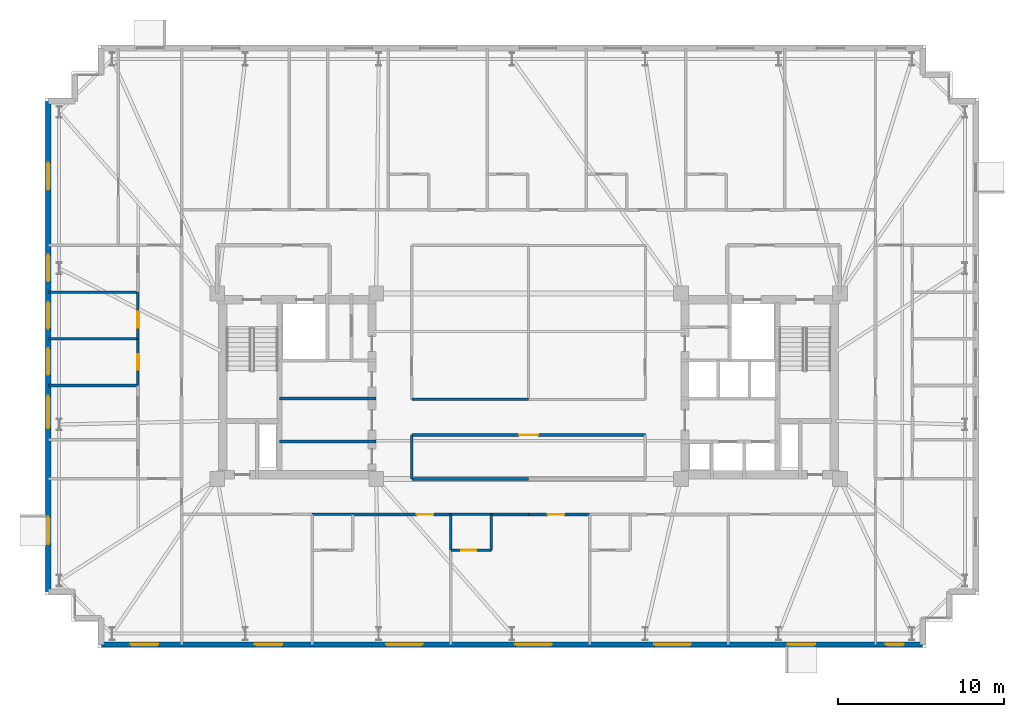
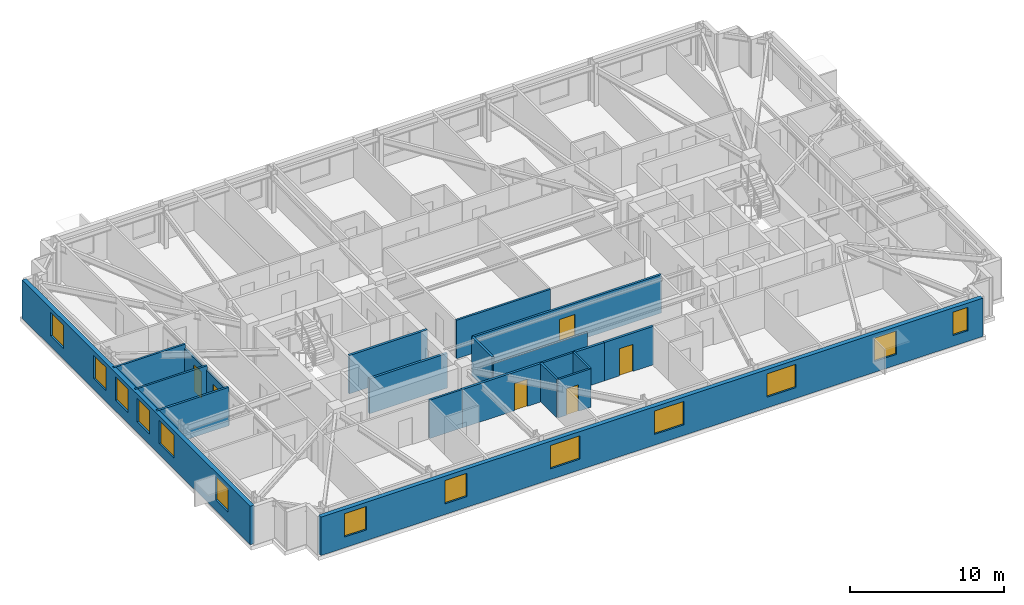
# One storey, part 11 of 18: 21 walls, 13 windows, 6 doors, 19 openings.
"""IFC4 building model written with IfcOpenShell, lengths in metres."""

from ifc_helpers import new_model, si_unit, direction, frame, frame_2d, origin, place, context, subcontext, project, spatial, rectangle, extrude, material, layer, layer_set, type_object, element, fill, save


model = new_model("IFC4")

# Units and contexts
model_context = context("Model", 3, precision=1e-05, world=origin(), true_north=direction((0.0, 1.0)))
body_context = subcontext(model_context, "Body", "Model", "MODEL_VIEW")
ifc_project = project(units=[si_unit("LENGTHUNIT", "METRE"), si_unit("AREAUNIT", "SQUARE_METRE"), si_unit("VOLUMEUNIT", "CUBIC_METRE"), si_unit("PLANEANGLEUNIT", "RADIAN"), si_unit("MASSUNIT", "GRAM", prefix="KILO")], contexts=[model_context])

# Site, building, storey
site_placement = place(None, origin())
site = spatial("IfcSite", under=ifc_project, at=site_placement, CompositionType="ELEMENT")
building_placement = place(site_placement, origin())
building = spatial("IfcBuilding", under=site, at=building_placement, Name="Qobustan Lattice House", CompositionType="ELEMENT")
storey_placement = place(building_placement, frame((0.0, 0.0, 134.35009765625)))
storey = spatial("IfcBuildingStorey", under=building, at=storey_placement, Name="L37", CompositionType="ELEMENT", Elevation=134.35009765625)

# Wall, openings, windows
ifc_material_1 = material(Name="Precast concrete C40/50", Category="concrete")
ifc_layer_1 = layer(ifc_material_1, 0.320068359375)
ifc_layer_set_1 = layer_set([ifc_layer_1], Name="Precast concrete C40/50")
wall_type_1 = type_object("IfcWallType", Name="WAL-EXT-STONE-320", PredefinedType="SOLIDWALL", material=ifc_layer_set_1)
wall_1_placement = place(storey_placement, frame((-29.0, -12.39990234375, 0.0), z_axis=(0.0, 0.0, 1.0), x_axis=(0.0, 1.0, 0.0)))
wall_1 = element("IfcWall", 1, at=wall_1_placement, inside=storey, type_object=wall_type_1, Name="L37 exterior limestone-clad wall 5", PredefinedType="SOLIDWALL", context=body_context, shape_type="SweptSolid", body=[
    extrude(rectangle(XDim=29.599853515625, YDim=0.320068359375, at=frame_2d((14.7998046875, 0.0))), origin(), (0.0, 0.0, 1.0), 3.039794921875),
])
opening_1_placement = place(wall_1_placement, frame((2.85498046875, 0.0, 0.85009765625)))
opening_1 = element("IfcOpeningElement", 2, at=opening_1_placement, cuts=wall_1, Name="Opening WN-09", PredefinedType="OPENING", context=body_context, shape_type="SweptSolid", body=[
    extrude(rectangle(XDim=1.64990234375, YDim=1.85009765625, at=frame_2d((0.824951171875, 0.925048828125))), frame((0.0, 0.169921875, 0.0), z_axis=(0.0, -1.0, 0.0), x_axis=(1.0, 0.0, 0.0)), (0.0, 0.0, 1.0), 0.340087890625),
])
opening_2_placement = place(wall_1_placement, frame((9.864990234375, 0.0, 0.85009765625)))
opening_2 = element("IfcOpeningElement", 3, at=opening_2_placement, cuts=wall_1, Name="Opening WN-08", PredefinedType="OPENING", context=body_context, shape_type="SweptSolid", body=[
    extrude(rectangle(XDim=1.949951171875, YDim=1.85009765625, at=frame_2d((0.97509765625, 0.925048828125))), frame((0.0, 0.169921875, 0.0), z_axis=(0.0, -1.0, 0.0), x_axis=(1.0, 0.0, 0.0)), (0.0, 0.0, 1.0), 0.340087890625),
])
opening_3_placement = place(wall_1_placement, frame((13.080078125, 0.0, 0.85009765625)))
opening_3 = element("IfcOpeningElement", 4, at=opening_3_placement, cuts=wall_1, Name="Opening WN-13", PredefinedType="OPENING", context=body_context, shape_type="SweptSolid", body=[
    extrude(rectangle(XDim=1.60009765625, YDim=1.85009765625, at=frame_2d((0.800048828125, 0.925048828125))), frame((0.0, 0.169921875, 0.0), z_axis=(0.0, -1.0, 0.0), x_axis=(1.0, 0.0, 0.0)), (0.0, 0.0, 1.0), 0.340087890625),
])
opening_4_placement = place(wall_1_placement, frame((15.8798828125, 0.0, 0.85009765625)))
opening_4 = element("IfcOpeningElement", 5, at=opening_4_placement, cuts=wall_1, Name="Opening WN-13", PredefinedType="OPENING", context=body_context, shape_type="SweptSolid", body=[
    extrude(rectangle(XDim=1.60009765625, YDim=1.85009765625, at=frame_2d((0.800048828125, 0.925048828125))), frame((0.0, 0.169921875, 0.0), z_axis=(0.0, -1.0, 0.0), x_axis=(1.0, 0.0, 0.0)), (0.0, 0.0, 1.0), 0.340087890625),
])
opening_5_placement = place(wall_1_placement, frame((18.719970703125, 0.0, 0.85009765625)))
opening_5 = element("IfcOpeningElement", 6, at=opening_5_placement, cuts=wall_1, Name="Opening WN-13", PredefinedType="OPENING", context=body_context, shape_type="SweptSolid", body=[
    extrude(rectangle(XDim=1.60009765625, YDim=1.85009765625, at=frame_2d((0.800048828125, 0.925048828125))), frame((0.0, 0.169921875, 0.0), z_axis=(0.0, -1.0, 0.0), x_axis=(1.0, 0.0, 0.0)), (0.0, 0.0, 1.0), 0.340087890625),
])
opening_6_placement = place(wall_1_placement, frame((24.2548828125, 0.0, 0.85009765625)))
opening_6 = element("IfcOpeningElement", 7, at=opening_6_placement, cuts=wall_1, Name="Opening WN-09", PredefinedType="OPENING", context=body_context, shape_type="SweptSolid", body=[
    extrude(rectangle(XDim=1.64990234375, YDim=1.85009765625, at=frame_2d((0.824951171875, 0.925048828125))), frame((0.0, 0.169921875, 0.0), z_axis=(0.0, -1.0, 0.0), x_axis=(1.0, 0.0, 0.0)), (0.0, 0.0, 1.0), 0.340087890625),
])
ifc_material_2 = material(Name="Double-glazed low-E aluminium window", Category="aluminium")
window_type_1 = type_object("IfcWindowType", Name="WIN-BED-1600x1850", PartitioningType="SINGLE_PANEL", PredefinedType="WINDOW", material=ifc_material_2)
window_1_placement = place(opening_3_placement, origin())
window_1 = element("IfcWindow", 8, at=window_1_placement, inside=storey, type_object=window_type_1, Name="L37 Cluster bedroom L37W1 window", OverallHeight=1.85009765625, OverallWidth=1.60009765625, PartitioningType="SINGLE_PANEL", PredefinedType="WINDOW", context=body_context, shape_type="SweptSolid", body=[
    extrude(rectangle(XDim=1.60009765625, YDim=1.85009765625, at=frame_2d((0.800048828125, 0.925048828125))), frame((0.0, 0.030029296875, 0.0), z_axis=(0.0, -1.0, 0.0), x_axis=(1.0, 0.0, 0.0)), (0.0, 0.0, 1.0), 0.06005859375),
])
fill(opening_3, window_1)
window_2_placement = place(opening_4_placement, origin())
window_2 = element("IfcWindow", 9, at=window_2_placement, inside=storey, type_object=window_type_1, Name="L37 Cluster bedroom L37W2 window", OverallHeight=1.85009765625, OverallWidth=1.60009765625, PartitioningType="SINGLE_PANEL", PredefinedType="WINDOW", context=body_context, shape_type="SweptSolid", body=[
    extrude(rectangle(XDim=1.60009765625, YDim=1.85009765625, at=frame_2d((0.800048828125, 0.925048828125))), frame((0.0, 0.030029296875, 0.0), z_axis=(0.0, -1.0, 0.0), x_axis=(1.0, 0.0, 0.0)), (0.0, 0.0, 1.0), 0.06005859375),
])
fill(opening_4, window_2)
window_3_placement = place(opening_5_placement, origin())
window_3 = element("IfcWindow", 10, at=window_3_placement, inside=storey, type_object=window_type_1, Name="L37 Cluster bedroom L37W3 window", OverallHeight=1.85009765625, OverallWidth=1.60009765625, PartitioningType="SINGLE_PANEL", PredefinedType="WINDOW", context=body_context, shape_type="SweptSolid", body=[
    extrude(rectangle(XDim=1.60009765625, YDim=1.85009765625, at=frame_2d((0.800048828125, 0.925048828125))), frame((0.0, 0.030029296875, 0.0), z_axis=(0.0, -1.0, 0.0), x_axis=(1.0, 0.0, 0.0)), (0.0, 0.0, 1.0), 0.06005859375),
])
fill(opening_5, window_3)
ifc_material_3 = material(Name="Double-glazed low-E aluminium window", Category="aluminium")
window_type_2 = type_object("IfcWindowType", Name="WIN-KIT-1950x1850", PartitioningType="SINGLE_PANEL", PredefinedType="WINDOW", material=ifc_material_3)
window_4_placement = place(opening_2_placement, origin())
window_4 = element("IfcWindow", 11, at=window_4_placement, inside=storey, type_object=window_type_2, Name="L37 Shared kitchen L37W window", OverallHeight=1.85009765625, OverallWidth=1.949951171875, PartitioningType="SINGLE_PANEL", PredefinedType="WINDOW", context=body_context, shape_type="SweptSolid", body=[
    extrude(rectangle(XDim=1.949951171875, YDim=1.85009765625, at=frame_2d((0.97509765625, 0.925048828125))), frame((0.0, 0.030029296875, 0.0), z_axis=(0.0, -1.0, 0.0), x_axis=(1.0, 0.0, 0.0)), (0.0, 0.0, 1.0), 0.06005859375),
])
fill(opening_2, window_4)
ifc_material_4 = material(Name="Double-glazed low-E aluminium window", Category="aluminium")
window_type_3 = type_object("IfcWindowType", Name="WIN-STU-1650x1850", PartitioningType="SINGLE_PANEL", PredefinedType="WINDOW", material=ifc_material_4)
window_5_placement = place(opening_1_placement, origin())
window_5 = element("IfcWindow", 12, at=window_5_placement, inside=storey, type_object=window_type_3, Name="L37 Reading study room L37WS window", OverallHeight=1.85009765625, OverallWidth=1.64990234375, PartitioningType="SINGLE_PANEL", PredefinedType="WINDOW", context=body_context, shape_type="SweptSolid", body=[
    extrude(rectangle(XDim=1.64990234375, YDim=1.85009765625, at=frame_2d((0.824951171875, 0.925048828125))), frame((0.0, 0.030029296875, 0.0), z_axis=(0.0, -1.0, 0.0), x_axis=(1.0, 0.0, 0.0)), (0.0, 0.0, 1.0), 0.06005859375),
])
fill(opening_1, window_5)
window_6_placement = place(opening_6_placement, origin())
window_6 = element("IfcWindow", 13, at=window_6_placement, inside=storey, type_object=window_type_3, Name="L37 Collaborative study room L37WN window", OverallHeight=1.85009765625, OverallWidth=1.64990234375, PartitioningType="SINGLE_PANEL", PredefinedType="WINDOW", context=body_context, shape_type="SweptSolid", body=[
    extrude(rectangle(XDim=1.64990234375, YDim=1.85009765625, at=frame_2d((0.824951171875, 0.925048828125))), frame((0.0, 0.030029296875, 0.0), z_axis=(0.0, -1.0, 0.0), x_axis=(1.0, 0.0, 0.0)), (0.0, 0.0, 1.0), 0.06005859375),
])
fill(opening_6, window_6)

wall_2_placement = place(storey_placement, frame((23.800048828125, -15.60009765625, 0.0), z_axis=(0.0, 0.0, 1.0), x_axis=(-1.0, 0.0, 0.0)))
wall_2 = element("IfcWall", 14, at=wall_2_placement, inside=storey, type_object=wall_type_1, Name="L37 exterior limestone-clad wall 20", PredefinedType="SOLIDWALL", context=body_context, shape_type="SweptSolid", body=[
    extrude(rectangle(XDim=49.60009765625, YDim=0.320068359375, at=frame_2d((24.800048828125, 0.0))), origin(), (0.0, 0.0, 1.0), 3.039794921875),
])
opening_7_placement = place(wall_2_placement, frame((1.1298828125, 0.0, 0.85009765625)))
opening_7 = element("IfcOpeningElement", 15, at=opening_7_placement, cuts=wall_2, Name="Opening WN-04", PredefinedType="OPENING", context=body_context, shape_type="SweptSolid", body=[
    extrude(rectangle(XDim=1.10009765625, YDim=1.85009765625, at=frame_2d((0.550048828125, 0.925048828125))), frame((0.0, 0.169921875, 0.0), z_axis=(0.0, -1.0, 0.0), x_axis=(1.0, 0.0, 0.0)), (0.0, 0.0, 1.0), 0.340087890625),
])
opening_8_placement = place(wall_2_placement, frame((6.4951171875, 0.0, 0.85009765625)))
opening_8 = element("IfcOpeningElement", 16, at=opening_8_placement, cuts=wall_2, Name="Opening WN-09", PredefinedType="OPENING", context=body_context, shape_type="SweptSolid", body=[
    extrude(rectangle(XDim=1.64990234375, YDim=1.85009765625, at=frame_2d((0.824951171875, 0.925048828125))), frame((0.0, 0.169921875, 0.0), z_axis=(0.0, -1.0, 0.0), x_axis=(1.0, 0.0, 0.0)), (0.0, 0.0, 1.0), 0.340087890625),
])
opening_9_placement = place(wall_2_placement, frame((13.99609375, 0.0, 0.85009765625)))
opening_9 = element("IfcOpeningElement", 17, at=opening_9_placement, cuts=wall_2, Name="Opening WN-03", PredefinedType="OPENING", context=body_context, shape_type="SweptSolid", body=[
    extrude(rectangle(XDim=2.199951171875, YDim=1.85009765625, at=frame_2d((1.10009765625, 0.925048828125))), frame((0.0, 0.169921875, 0.0), z_axis=(0.0, -1.0, 0.0), x_axis=(1.0, 0.0, 0.0)), (0.0, 0.0, 1.0), 0.340087890625),
])
opening_10_placement = place(wall_2_placement, frame((22.39599609375, 0.0, 0.85009765625)))
opening_10 = element("IfcOpeningElement", 18, at=opening_10_placement, cuts=wall_2, Name="Opening WN-03", PredefinedType="OPENING", context=body_context, shape_type="SweptSolid", body=[
    extrude(rectangle(XDim=2.199951171875, YDim=1.85009765625, at=frame_2d((1.10009765625, 0.925048828125))), frame((0.0, 0.169921875, 0.0), z_axis=(0.0, -1.0, 0.0), x_axis=(1.0, 0.0, 0.0)), (0.0, 0.0, 1.0), 0.340087890625),
])
opening_11_placement = place(wall_2_placement, frame((30.199951171875, 0.0, 0.85009765625)))
opening_11 = element("IfcOpeningElement", 19, at=opening_11_placement, cuts=wall_2, Name="Opening WN-03", PredefinedType="OPENING", context=body_context, shape_type="SweptSolid", body=[
    extrude(rectangle(XDim=2.199951171875, YDim=1.85009765625, at=frame_2d((1.10009765625, 0.925048828125))), frame((0.0, 0.169921875, 0.0), z_axis=(0.0, -1.0, 0.0), x_axis=(1.0, 0.0, 0.0)), (0.0, 0.0, 1.0), 0.340087890625),
])
opening_12_placement = place(wall_2_placement, frame((38.672607421875, 0.0, 0.85009765625)))
opening_12 = element("IfcOpeningElement", 20, at=opening_12_placement, cuts=wall_2, Name="Opening WN-09", PredefinedType="OPENING", context=body_context, shape_type="SweptSolid", body=[
    extrude(rectangle(XDim=1.64990234375, YDim=1.85009765625, at=frame_2d((0.824951171875, 0.925048828125))), frame((0.0, 0.169921875, 0.0), z_axis=(0.0, -1.0, 0.0), x_axis=(1.0, 0.0, 0.0)), (0.0, 0.0, 1.0), 0.340087890625),
])
opening_13_placement = place(wall_2_placement, frame((46.175048828125, 0.0, 0.85009765625)))
opening_13 = element("IfcOpeningElement", 21, at=opening_13_placement, cuts=wall_2, Name="Opening WN-09", PredefinedType="OPENING", context=body_context, shape_type="SweptSolid", body=[
    extrude(rectangle(XDim=1.64990234375, YDim=1.85009765625, at=frame_2d((0.824951171875, 0.925048828125))), frame((0.0, 0.169921875, 0.0), z_axis=(0.0, -1.0, 0.0), x_axis=(1.0, 0.0, 0.0)), (0.0, 0.0, 1.0), 0.340087890625),
])
ifc_material_5 = material(Name="Double-glazed low-E aluminium window", Category="aluminium")
window_type_4 = type_object("IfcWindowType", Name="WIN-NAR-1100x1850", PartitioningType="SINGLE_PANEL", PredefinedType="WINDOW", material=ifc_material_5)
window_7_placement = place(opening_7_placement, origin())
window_7 = element("IfcWindow", 22, at=window_7_placement, inside=storey, type_object=window_type_4, Name="L37 Reading study room L37ES window", OverallHeight=1.85009765625, OverallWidth=1.10009765625, PartitioningType="SINGLE_PANEL", PredefinedType="WINDOW", context=body_context, shape_type="SweptSolid", body=[
    extrude(rectangle(XDim=1.10009765625, YDim=1.85009765625, at=frame_2d((0.550048828125, 0.925048828125))), frame((0.0, 0.030029296875, 0.0), z_axis=(0.0, -1.0, 0.0), x_axis=(1.0, 0.0, 0.0)), (0.0, 0.0, 1.0), 0.06005859375),
])
fill(opening_7, window_7)
window_8_placement = place(opening_8_placement, origin())
window_8 = element("IfcWindow", 23, at=window_8_placement, inside=storey, type_object=window_type_3, Name="L37 Group study room window", OverallHeight=1.85009765625, OverallWidth=1.64990234375, PartitioningType="SINGLE_PANEL", PredefinedType="WINDOW", context=body_context, shape_type="SweptSolid", body=[
    extrude(rectangle(XDim=1.64990234375, YDim=1.85009765625, at=frame_2d((0.824951171875, 0.925048828125))), frame((0.0, 0.030029296875, 0.0), z_axis=(0.0, -1.0, 0.0), x_axis=(1.0, 0.0, 0.0)), (0.0, 0.0, 1.0), 0.06005859375),
])
fill(opening_8, window_8)
window_9_placement = place(opening_12_placement, origin())
window_9 = element("IfcWindow", 24, at=window_9_placement, inside=storey, type_object=window_type_3, Name="L37 Focus study room S1 window", OverallHeight=1.85009765625, OverallWidth=1.64990234375, PartitioningType="SINGLE_PANEL", PredefinedType="WINDOW", context=body_context, shape_type="SweptSolid", body=[
    extrude(rectangle(XDim=1.64990234375, YDim=1.85009765625, at=frame_2d((0.824951171875, 0.925048828125))), frame((0.0, 0.030029296875, 0.0), z_axis=(0.0, -1.0, 0.0), x_axis=(1.0, 0.0, 0.0)), (0.0, 0.0, 1.0), 0.06005859375),
])
fill(opening_12, window_9)
window_10_placement = place(opening_13_placement, origin())
window_10 = element("IfcWindow", 25, at=window_10_placement, inside=storey, type_object=window_type_3, Name="L37 Reading study room L37WS window", OverallHeight=1.85009765625, OverallWidth=1.64990234375, PartitioningType="SINGLE_PANEL", PredefinedType="WINDOW", context=body_context, shape_type="SweptSolid", body=[
    extrude(rectangle(XDim=1.64990234375, YDim=1.85009765625, at=frame_2d((0.824951171875, 0.925048828125))), frame((0.0, 0.030029296875, 0.0), z_axis=(0.0, -1.0, 0.0), x_axis=(1.0, 0.0, 0.0)), (0.0, 0.0, 1.0), 0.06005859375),
])
fill(opening_13, window_10)
ifc_material_6 = material(Name="Double-glazed low-E aluminium window", Category="aluminium")
window_type_5 = type_object("IfcWindowType", Name="WIN-WIDE-2200x1850", PartitioningType="SINGLE_PANEL", PredefinedType="WINDOW", material=ifc_material_6)
window_11_placement = place(opening_9_placement, origin())
window_11 = element("IfcWindow", 26, at=window_11_placement, inside=storey, type_object=window_type_5, Name="L37 Kitchenette and studio apartment L37-S4 window", OverallHeight=1.85009765625, OverallWidth=2.199951171875, PartitioningType="SINGLE_PANEL", PredefinedType="WINDOW", context=body_context, shape_type="SweptSolid", body=[
    extrude(rectangle(XDim=2.199951171875, YDim=1.85009765625, at=frame_2d((1.10009765625, 0.925048828125))), frame((0.0, 0.030029296875, 0.0), z_axis=(0.0, -1.0, 0.0), x_axis=(1.0, 0.0, 0.0)), (0.0, 0.0, 1.0), 0.06005859375),
])
fill(opening_9, window_11)
window_12_placement = place(opening_10_placement, origin())
window_12 = element("IfcWindow", 27, at=window_12_placement, inside=storey, type_object=window_type_5, Name="L37 Kitchenette and studio apartment L37-S3 window", OverallHeight=1.85009765625, OverallWidth=2.199951171875, PartitioningType="SINGLE_PANEL", PredefinedType="WINDOW", context=body_context, shape_type="SweptSolid", body=[
    extrude(rectangle(XDim=2.199951171875, YDim=1.85009765625, at=frame_2d((1.10009765625, 0.925048828125))), frame((0.0, 0.030029296875, 0.0), z_axis=(0.0, -1.0, 0.0), x_axis=(1.0, 0.0, 0.0)), (0.0, 0.0, 1.0), 0.06005859375),
])
fill(opening_10, window_12)
window_13_placement = place(opening_11_placement, origin())
window_13 = element("IfcWindow", 28, at=window_13_placement, inside=storey, type_object=window_type_5, Name="L37 Kitchenette and studio apartment L37-S2 window", OverallHeight=1.85009765625, OverallWidth=2.199951171875, PartitioningType="SINGLE_PANEL", PredefinedType="WINDOW", context=body_context, shape_type="SweptSolid", body=[
    extrude(rectangle(XDim=2.199951171875, YDim=1.85009765625, at=frame_2d((1.10009765625, 0.925048828125))), frame((0.0, 0.030029296875, 0.0), z_axis=(0.0, -1.0, 0.0), x_axis=(1.0, 0.0, 0.0)), (0.0, 0.0, 1.0), 0.06005859375),
])
fill(opening_11, window_13)

# Walls
ifc_material_7 = material(Name="Gypsum fireboard acoustic partition", Category="gypsum")
ifc_layer_2 = layer(ifc_material_7, 0.179931640625)
ifc_layer_set_2 = layer_set([ifc_layer_2], Name="Gypsum fireboard acoustic partition")
wall_type_2 = type_object("IfcWallType", Name="WAL-FIRE-180", PredefinedType="PARTITIONING", material=ifc_layer_set_2)
wall_3_placement = place(storey_placement, frame((-15.050048828125, -3.35009765625, 0.0), z_axis=(0.0, 0.0, 1.0), x_axis=(1.0, 0.0, 0.0)))
element("IfcWall", 29, at=wall_3_placement, inside=storey, type_object=wall_type_2, Name="L37 interior partition 10", PredefinedType="PARTITIONING", context=body_context, shape_type="SweptSolid", body=[
    extrude(rectangle(XDim=5.85009765625, YDim=0.179931640625, at=frame_2d((2.925048828125, 0.0))), origin(), (0.0, 0.0, 1.0), 2.7548828125),
])
wall_4_placement = place(storey_placement, frame((-9.199951171875, -0.75, 0.0), z_axis=(0.0, 0.0, 1.0), x_axis=(-1.0, 0.0, 0.0)))
element("IfcWall", 30, at=wall_4_placement, inside=storey, type_object=wall_type_2, Name="L37 interior partition 11", PredefinedType="PARTITIONING", context=body_context, shape_type="SweptSolid", body=[
    extrude(rectangle(XDim=5.85009765625, YDim=0.179931640625, at=frame_2d((2.925048828125, 0.0))), origin(), (0.0, 0.0, 1.0), 3.039794921875),
])

# Wall, opening, door
wall_5_placement = place(storey_placement, frame((-4.68994140625, -7.75, 0.0), z_axis=(0.0, 0.0, 1.0), x_axis=(-1.0, 0.0, 0.0)))
wall_5 = element("IfcWall", 31, at=wall_5_placement, inside=storey, type_object=wall_type_2, Name="L37 interior partition 52", PredefinedType="PARTITIONING", context=body_context, shape_type="SweptSolid", body=[
    extrude(rectangle(XDim=5.93017578125, YDim=0.179931640625, at=frame_2d((2.965087890625, 0.0))), origin(), (0.0, 0.0, 1.0), 3.039794921875),
])
opening_14_placement = place(wall_5_placement, frame((1.05126953125, 0.0, 0.0)))
opening_14 = element("IfcOpeningElement", 32, at=opening_14_placement, cuts=wall_5, Name="Opening FD-02", PredefinedType="OPENING", context=body_context, shape_type="SweptSolid", body=[
    extrude(rectangle(XDim=1.0, YDim=2.14990234375, at=frame_2d((0.5, 1.074951171875))), frame((0.0, 0.099853515625, 0.0), z_axis=(0.0, -1.0, 0.0), x_axis=(1.0, 0.0, 0.0)), (0.0, 0.0, 1.0), 0.199951171875),
])
ifc_material_8 = material(Name="Persian walnut timber and steel frame door", Category="steel")
door_type_1 = type_object("IfcDoorType", Name="DOR-UNIT-FD-1000x2150", OperationType="NOTDEFINED", PredefinedType="DOOR", material=ifc_material_8)
door_1_placement = place(opening_14_placement, origin())
door_1 = element("IfcDoor", 33, at=door_1_placement, inside=storey, type_object=door_type_1, Name="L37 South-west floor corridor to Kitchenette and studio apartment L37-S2 door", OperationType="SINGLE_SWING_LEFT", OverallHeight=2.14990234375, OverallWidth=1.0, PredefinedType="DOOR", context=body_context, shape_type="SweptSolid", body=[
    extrude(rectangle(XDim=1.0, YDim=2.14990234375, at=frame_2d((0.5, 1.074951171875))), frame((0.0, 0.02490234375, 0.0), z_axis=(0.0, -1.0, 0.0), x_axis=(1.0, 0.0, 0.0)), (0.0, 0.0, 1.0), 0.050048828125),
])
fill(opening_14, door_1)

# Wall
wall_6_placement = place(storey_placement, frame((0.0, -7.75, 0.0), z_axis=(0.0, 0.0, 1.0), x_axis=(-1.0, 0.0, 0.0)))
element("IfcWall", 34, at=wall_6_placement, inside=storey, type_object=wall_type_2, Name="L37 interior partition 54", PredefinedType="PARTITIONING", context=body_context, shape_type="SweptSolid", body=[
    extrude(rectangle(XDim=2.239990234375, YDim=0.179931640625, at=frame_2d((1.1201171875, 0.0))), origin(), (0.0, 0.0, 1.0), 3.039794921875),
])

# Wall, opening, door
wall_7_placement = place(storey_placement, frame((3.68994140625, -7.75, 0.0), z_axis=(0.0, 0.0, 1.0), x_axis=(-1.0, 0.0, 0.0)))
wall_7 = element("IfcWall", 35, at=wall_7_placement, inside=storey, type_object=wall_type_2, Name="L37 interior partition 58", PredefinedType="PARTITIONING", context=body_context, shape_type="SweptSolid", body=[
    extrude(rectangle(XDim=3.68994140625, YDim=0.179931640625, at=frame_2d((1.844970703125, 0.0))), origin(), (0.0, 0.0, 1.0), 3.039794921875),
])
opening_15_placement = place(wall_7_placement, frame((1.5361328125, 0.0, 0.0)))
opening_15 = element("IfcOpeningElement", 36, at=opening_15_placement, cuts=wall_7, Name="Opening FD-02", PredefinedType="OPENING", context=body_context, shape_type="SweptSolid", body=[
    extrude(rectangle(XDim=1.0, YDim=2.14990234375, at=frame_2d((0.5, 1.074951171875))), frame((0.0, 0.099853515625, 0.0), z_axis=(0.0, -1.0, 0.0), x_axis=(1.0, 0.0, 0.0)), (0.0, 0.0, 1.0), 0.199951171875),
])
door_2_placement = place(opening_15_placement, origin())
door_2 = element("IfcDoor", 37, at=door_2_placement, inside=storey, type_object=door_type_1, Name="L37 South-east floor corridor to Kitchenette and studio apartment L37-S3 door", OperationType="SINGLE_SWING_LEFT", OverallHeight=2.14990234375, OverallWidth=1.0, PredefinedType="DOOR", context=body_context, shape_type="SweptSolid", body=[
    extrude(rectangle(XDim=1.0, YDim=2.14990234375, at=frame_2d((0.5, 1.074951171875))), frame((0.0, 0.02490234375, 0.0), z_axis=(0.0, -1.0, 0.0), x_axis=(1.0, 0.0, 0.0)), (0.0, 0.0, 1.0), 0.050048828125),
])
fill(opening_15, door_2)

# Wall
ifc_material_9 = material(Name="Acoustic twin-stud gypsum partition", Category="gypsum")
ifc_layer_3 = layer(ifc_material_9, 0.14990234375)
ifc_layer_set_3 = layer_set([ifc_layer_3], Name="Acoustic twin-stud gypsum partition")
wall_type_3 = type_object("IfcWallType", Name="WAL-PART-150", PredefinedType="PARTITIONING", material=ifc_layer_set_3)
wall_8_placement = place(storey_placement, frame((-7.050048828125, -0.800048828125, 0.0), z_axis=(0.0, 0.0, 1.0), x_axis=(1.0, 0.0, 0.0)))
element("IfcWall", 38, at=wall_8_placement, inside=storey, type_object=wall_type_3, Name="L37 interior partition 65", PredefinedType="PARTITIONING", context=body_context, shape_type="SweptSolid", body=[
    extrude(rectangle(XDim=7.050048828125, YDim=0.14990234375, at=frame_2d((3.52490234375, 0.0))), origin(), (0.0, 0.0, 1.0), 3.039794921875),
])

# Wall, opening, door
wall_9_placement = place(storey_placement, frame((-23.60009765625, 0.0400390625, 0.0), z_axis=(0.0, 0.0, 1.0), x_axis=(0.0, 1.0, 0.0)))
wall_9 = element("IfcWall", 39, at=wall_9_placement, inside=storey, type_object=wall_type_3, Name="L37 interior partition 76", PredefinedType="PARTITIONING", context=body_context, shape_type="SweptSolid", body=[
    extrude(rectangle(XDim=2.820068359375, YDim=0.14990234375, at=frame_2d((1.41015625, 0.0))), origin(), (0.0, 0.0, 1.0), 2.69482421875),
])
opening_16_placement = place(wall_9_placement, frame((0.93505859375, 0.0, 0.0)))
opening_16 = element("IfcOpeningElement", 40, at=opening_16_placement, cuts=wall_9, Name="Opening ID-01", PredefinedType="OPENING", context=body_context, shape_type="SweptSolid", body=[
    extrude(rectangle(XDim=0.949951171875, YDim=2.10009765625, at=frame_2d((0.47509765625, 1.050048828125))), frame((0.0, 0.0849609375, 0.0), z_axis=(0.0, -1.0, 0.0), x_axis=(1.0, 0.0, 0.0)), (0.0, 0.0, 1.0), 0.169921875),
])
ifc_material_10 = material(Name="Persian walnut timber and steel frame door", Category="steel")
door_type_2 = type_object("IfcDoorType", Name="DOR-ROOM-950x2100", OperationType="NOTDEFINED", PredefinedType="DOOR", material=ifc_material_10)
door_3_placement = place(opening_16_placement, origin())
door_3 = element("IfcDoor", 41, at=door_3_placement, inside=storey, type_object=door_type_2, Name="L37 Residence entrance hall L37W to Cluster bedroom L37W1 door", OperationType="SINGLE_SWING_LEFT", OverallHeight=2.10009765625, OverallWidth=0.949951171875, PredefinedType="DOOR", context=body_context, shape_type="SweptSolid", body=[
    extrude(rectangle(XDim=0.949951171875, YDim=2.10009765625, at=frame_2d((0.47509765625, 1.050048828125))), frame((0.0, 0.02490234375, 0.0), z_axis=(0.0, -1.0, 0.0), x_axis=(1.0, 0.0, 0.0)), (0.0, 0.0, 1.0), 0.050048828125),
])
fill(opening_16, door_3)

wall_10_placement = place(storey_placement, frame((-23.60009765625, 2.860107421875, 0.0), z_axis=(0.0, 0.0, 1.0), x_axis=(0.0, 1.0, 0.0)))
wall_10 = element("IfcWall", 42, at=wall_10_placement, inside=storey, type_object=wall_type_3, Name="L37 interior partition 77", PredefinedType="PARTITIONING", context=body_context, shape_type="SweptSolid", body=[
    extrude(rectangle(XDim=2.81982421875, YDim=0.14990234375, at=frame_2d((1.409912109375, 0.0))), origin(), (0.0, 0.0, 1.0), 2.69482421875),
])
opening_17_placement = place(wall_10_placement, frame((0.668701171875, 0.0, 0.0)))
opening_17 = element("IfcOpeningElement", 43, at=opening_17_placement, cuts=wall_10, Name="Opening ID-01", PredefinedType="OPENING", context=body_context, shape_type="SweptSolid", body=[
    extrude(rectangle(XDim=0.949951171875, YDim=2.10009765625, at=frame_2d((0.47509765625, 1.050048828125))), frame((0.0, 0.0849609375, 0.0), z_axis=(0.0, -1.0, 0.0), x_axis=(1.0, 0.0, 0.0)), (0.0, 0.0, 1.0), 0.169921875),
])
door_4_placement = place(opening_17_placement, origin())
door_4 = element("IfcDoor", 44, at=door_4_placement, inside=storey, type_object=door_type_2, Name="L37 Residence entrance hall L37W to Cluster bedroom L37W2 door", OperationType="SINGLE_SWING_RIGHT", OverallHeight=2.10009765625, OverallWidth=0.949951171875, PredefinedType="DOOR", context=body_context, shape_type="SweptSolid", body=[
    extrude(rectangle(XDim=0.949951171875, YDim=2.10009765625, at=frame_2d((0.47509765625, 1.050048828125))), frame((0.0, 0.02490234375, 0.0), z_axis=(0.0, -1.0, 0.0), x_axis=(1.0, 0.0, 0.0)), (0.0, 0.0, 1.0), 0.050048828125),
])
fill(opening_17, door_4)

# Walls
for number, where, z_axis, x_axis, name in (
    (45, (-29.0, 2.860107421875, 0.0), (0.0, 0.0, 1.0), (1.0, 0.0, 0.0), "L37 interior partition 87"),
    (46, (-29.0, 5.679931640625, 0.0), (0.0, 0.0, 1.0), (1.0, 0.0, 0.0), "L37 interior partition 88"),
):
    element("IfcWall", number, at=place(storey_placement, frame(where, z_axis=z_axis, x_axis=x_axis)), inside=storey, type_object=wall_type_3, Name=name, PredefinedType="PARTITIONING", context=body_context, shape_type="SweptSolid", body=[
        extrude(rectangle(XDim=5.39990234375, YDim=0.14990234375, at=frame_2d((2.699951171875, 0.0))), origin(), (0.0, 0.0, 1.0), 3.039794921875),
    ])
ifc_material_11 = material(Name="High-mass acoustic twin-stud partition", Category="gypsum")
ifc_layer_4 = layer(ifc_material_11, 0.1650390625)
ifc_layer_set_4 = layer_set([ifc_layer_4], Name="High-mass acoustic twin-stud partition")
wall_type_4 = type_object("IfcWallType", Name="WAL-PART-165", PredefinedType="PARTITIONING", material=ifc_layer_set_4)
wall_11_placement = place(storey_placement, frame((-7.050048828125, -5.60009765625, 0.0), z_axis=(0.0, 0.0, 1.0), x_axis=(1.0, 0.0, 0.0)))
element("IfcWall", 47, at=wall_11_placement, inside=storey, type_object=wall_type_4, Name="L37 interior partition 56", PredefinedType="PARTITIONING", context=body_context, shape_type="SweptSolid", body=[
    extrude(rectangle(XDim=7.050048828125, YDim=0.1650390625, at=frame_2d((3.52490234375, 0.0))), origin(), (0.0, 0.0, 1.0), 2.52490234375),
])

# Wall, opening, door
wall_12_placement = place(storey_placement, frame((7.050048828125, -2.949951171875, 0.0), z_axis=(0.0, 0.0, 1.0), x_axis=(-1.0, 0.0, 0.0)))
wall_12 = element("IfcWall", 48, at=wall_12_placement, inside=storey, type_object=wall_type_4, Name="L37 interior partition 67", PredefinedType="PARTITIONING", context=body_context, shape_type="SweptSolid", body=[
    extrude(rectangle(XDim=14.10009765625, YDim=0.1650390625, at=frame_2d((7.050048828125, 0.0))), origin(), (0.0, 0.0, 1.0), 3.039794921875),
])
opening_18_placement = place(wall_12_placement, frame((6.47509765625, 0.0, 0.0)))
opening_18 = element("IfcOpeningElement", 49, at=opening_18_placement, cuts=wall_12, Name="Opening ID-03", PredefinedType="OPENING", context=body_context, shape_type="SweptSolid", body=[
    extrude(rectangle(XDim=1.14990234375, YDim=2.14990234375, at=frame_2d((0.574951171875, 1.074951171875))), frame((0.0, 0.092529296875, 0.0), z_axis=(0.0, -1.0, 0.0), x_axis=(1.0, 0.0, 0.0)), (0.0, 0.0, 1.0), 0.18505859375),
])
ifc_material_12 = material(Name="Persian walnut timber and steel frame door", Category="steel")
door_type_3 = type_object("IfcDoorType", Name="DOR-KITCH-1150x2150", OperationType="NOTDEFINED", PredefinedType="DOOR", material=ifc_material_12)
door_5_placement = place(opening_18_placement, origin())
door_5 = element("IfcDoor", 50, at=door_5_placement, inside=storey, type_object=door_type_3, Name="L37 Central spine corridor to Shared kitchen and tea room door", OperationType="SINGLE_SWING_RIGHT", OverallHeight=2.14990234375, OverallWidth=1.14990234375, PredefinedType="DOOR", context=body_context, shape_type="SweptSolid", body=[
    extrude(rectangle(XDim=1.14990234375, YDim=2.14990234375, at=frame_2d((0.574951171875, 1.074951171875))), frame((0.0, 0.02490234375, 0.0), z_axis=(0.0, -1.0, 0.0), x_axis=(1.0, 0.0, 0.0)), (0.0, 0.0, 1.0), 0.050048828125),
])
fill(opening_18, door_5)

# Walls
wall_13_placement = place(storey_placement, frame((-7.050048828125, -2.949951171875, 0.0), z_axis=(0.0, 0.0, 1.0), x_axis=(0.0, -1.0, 0.0)))
element("IfcWall", 51, at=wall_13_placement, inside=storey, type_object=wall_type_4, Name="L37 interior partition 69", PredefinedType="PARTITIONING", context=body_context, shape_type="SweptSolid", body=[
    extrude(rectangle(XDim=2.650146484375, YDim=0.1650390625, at=frame_2d((1.3251953125, 0.0))), origin(), (0.0, 0.0, 1.0), 3.039794921875),
])
wall_14_placement = place(storey_placement, frame((-29.0, 0.0400390625, 0.0), z_axis=(0.0, 0.0, 1.0), x_axis=(1.0, 0.0, 0.0)))
element("IfcWall", 52, at=wall_14_placement, inside=storey, type_object=wall_type_4, Name="L37 interior partition 86", PredefinedType="PARTITIONING", context=body_context, shape_type="SweptSolid", body=[
    extrude(rectangle(XDim=5.39990234375, YDim=0.1650390625, at=frame_2d((2.699951171875, 0.0))), origin(), (0.0, 0.0, 1.0), 3.039794921875),
])
ifc_material_13 = material(Name="Moisture-resistant acoustic plumbing wall", Category="gypsum")
ifc_layer_5 = layer(ifc_material_13, 0.14990234375)
ifc_layer_set_5 = layer_set([ifc_layer_5], Name="Moisture-resistant acoustic plumbing wall")
wall_type_5 = type_object("IfcWallType", Name="WAL-WET-150", PredefinedType="PLUMBINGWALL", material=ifc_layer_set_5)
for number, where, z_axis, x_axis, name in (
    (53, (-10.6201171875, -7.75, 0.0), (0.0, 0.0, 1.0), (-1.0, 0.0, 0.0), "L37 interior partition 53"),
    (54, (-2.239990234375, -7.75, 0.0), (0.0, 0.0, 1.0), (-1.0, 0.0, 0.0), "L37 interior partition 55"),
):
    element("IfcWall", number, at=place(storey_placement, frame(where, z_axis=z_axis, x_axis=x_axis)), inside=storey, type_object=wall_type_5, Name=name, PredefinedType="PLUMBINGWALL", context=body_context, shape_type="SweptSolid", body=[
        extrude(rectangle(XDim=2.449951171875, YDim=0.14990234375, at=frame_2d((1.22509765625, 0.0))), origin(), (0.0, 0.0, 1.0), 3.039794921875),
    ])
wall_15_placement = place(storey_placement, frame((-4.68994140625, -7.75, 0.0), z_axis=(0.0, 0.0, 1.0), x_axis=(0.0, -1.0, 0.0)))
element("IfcWall", 55, at=wall_15_placement, inside=storey, type_object=wall_type_5, Name="L37 interior partition 128", PredefinedType="PLUMBINGWALL", context=body_context, shape_type="SweptSolid", body=[
    extrude(rectangle(XDim=2.14990234375, YDim=0.14990234375, at=frame_2d((1.074951171875, 0.0))), origin(), (0.0, 0.0, 1.0), 3.039794921875),
])

# Wall, opening, door
wall_16_placement = place(storey_placement, frame((-4.68994140625, -9.89990234375, 0.0), z_axis=(0.0, 0.0, 1.0), x_axis=(1.0, 0.0, 0.0)))
wall_16 = element("IfcWall", 56, at=wall_16_placement, inside=storey, type_object=wall_type_5, Name="L37 interior partition 129", PredefinedType="PLUMBINGWALL", context=body_context, shape_type="SweptSolid", body=[
    extrude(rectangle(XDim=2.449951171875, YDim=0.14990234375, at=frame_2d((1.22509765625, 0.0))), origin(), (0.0, 0.0, 1.0), 3.039794921875),
])
opening_19_placement = place(wall_16_placement, frame((0.62890625, 0.0, 0.0)))
opening_19 = element("IfcOpeningElement", 57, at=opening_19_placement, cuts=wall_16, Name="Opening WD-01", PredefinedType="OPENING", context=body_context, shape_type="SweptSolid", body=[
    extrude(rectangle(XDim=0.89990234375, YDim=2.10009765625, at=frame_2d((0.449951171875, 1.050048828125))), frame((0.0, 0.0849609375, 0.0), z_axis=(0.0, -1.0, 0.0), x_axis=(1.0, 0.0, 0.0)), (0.0, 0.0, 1.0), 0.169921875),
])
ifc_material_14 = material(Name="Persian walnut timber and steel frame door", Category="steel")
door_type_4 = type_object("IfcDoorType", Name="DOR-WET-900x2100", OperationType="NOTDEFINED", PredefinedType="DOOR", material=ifc_material_14)
door_6_placement = place(opening_19_placement, origin())
door_6 = element("IfcDoor", 58, at=door_6_placement, inside=storey, type_object=door_type_4, Name="L37 Kitchenette and studio apartment L37-S3 to En-suite bathroom L37-S3 door", OperationType="SINGLE_SWING_LEFT", OverallHeight=2.10009765625, OverallWidth=0.89990234375, PredefinedType="DOOR", context=body_context, shape_type="SweptSolid", body=[
    extrude(rectangle(XDim=0.89990234375, YDim=2.10009765625, at=frame_2d((0.449951171875, 1.050048828125))), frame((0.0, 0.02490234375, 0.0), z_axis=(0.0, -1.0, 0.0), x_axis=(1.0, 0.0, 0.0)), (0.0, 0.0, 1.0), 0.050048828125),
])
fill(opening_19, door_6)

# Wall
wall_17_placement = place(storey_placement, frame((-2.239990234375, -9.89990234375, 0.0), z_axis=(0.0, 0.0, 1.0), x_axis=(0.0, 1.0, 0.0)))
element("IfcWall", 59, at=wall_17_placement, inside=storey, type_object=wall_type_5, Name="L37 interior partition 130", PredefinedType="PLUMBINGWALL", context=body_context, shape_type="SweptSolid", body=[
    extrude(rectangle(XDim=2.14990234375, YDim=0.14990234375, at=frame_2d((1.074951171875, 0.0))), origin(), (0.0, 0.0, 1.0), 3.039794921875),
])

save(model, "model.ifc")
